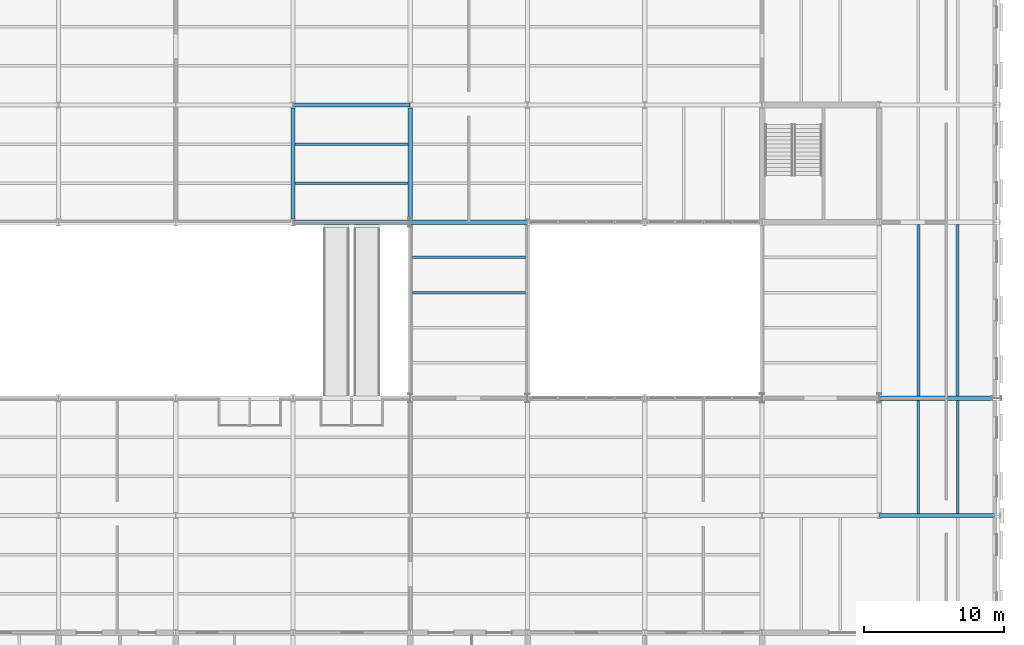
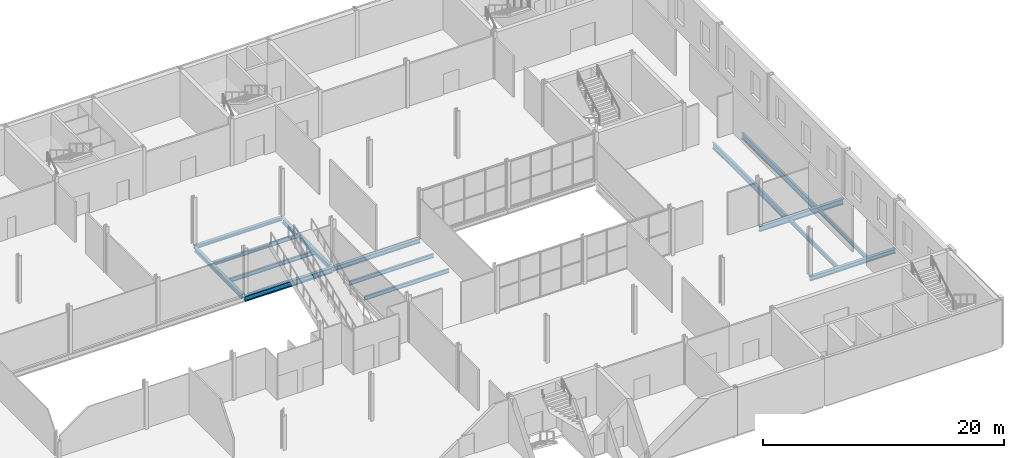
# One storey, part 21 of 57: 15 beams.
"""IFC4 building model written with IfcOpenShell, lengths in metres."""

from ifc_helpers import new_model, si_unit, direction, frame, origin, origin_2d, place, context, subcontext, project, spatial, i_section, extrude, material, material_profile, profile_set, type_object, element, save


model = new_model("IFC4")

# Units and contexts
model_context = context("Model", 3, precision=1e-05, world=origin(), true_north=direction((0.0, 1.0)))
body_context = subcontext(model_context, "Body", "Model", "MODEL_VIEW")
ifc_project = project(units=[si_unit("LENGTHUNIT", "METRE"), si_unit("AREAUNIT", "SQUARE_METRE"), si_unit("VOLUMEUNIT", "CUBIC_METRE"), si_unit("PLANEANGLEUNIT", "RADIAN"), si_unit("MASSUNIT", "GRAM", prefix="KILO")], contexts=[model_context])

# Site, building, storey
site_placement = place(None, origin())
site = spatial("IfcSite", under=ifc_project, at=site_placement, CompositionType="ELEMENT")
building_placement = place(site_placement, origin())
building = spatial("IfcBuilding", under=site, at=building_placement, Name="Galleria Vessillo Department Store", CompositionType="ELEMENT")
storey_placement = place(building_placement, frame((0.0, 0.0, 21.0)))
storey = spatial("IfcBuildingStorey", under=building, at=storey_placement, Name="L04", CompositionType="ELEMENT", Elevation=21.0)

# Beams
ifc_material_1 = material(Name="Steel S355 J2", Category="steel")
ifc_material_profile_1 = material_profile(ifc_material_1, i_section(OverallWidth=0.300048828125, OverallDepth=0.43994140625, WebThickness=0.011474609375, FlangeThickness=0.02099609375, FilletRadius=0.027099609375, at=origin_2d()), Name="HEA 450")
ifc_profile_set_1 = profile_set([ifc_material_profile_1], Name="Steel S355 J2")
beam_type_1 = type_object("IfcBeamType", Name="Bridge girder HEA 450", PredefinedType="BEAM", material=ifc_profile_set_1)
beam_1_placement = place(storey_placement, frame((75.610595703125, 37.800048828125, -0.369873046875), z_axis=(1.0, 0.0, 0.0), x_axis=(0.0, 1.0, 0.0)))
element("IfcBeam", 1, at=beam_1_placement, inside=storey, type_object=beam_type_1, Name="S-BM-L04-BR-x37800-75611", PredefinedType="BEAM", context=body_context, shape_type="SweptSolid", body=[
    extrude(i_section(OverallWidth=0.300048828125, OverallDepth=0.43994140625, WebThickness=0.011474609375, FlangeThickness=0.02099609375, FilletRadius=0.027099609375, at=origin_2d()), origin(), (0.0, 0.0, 1.0), 8.378662109375),
])
ifc_material_2 = material(Name="Steel S355 J2", Category="steel")
ifc_material_profile_2 = material_profile(ifc_material_2, i_section(OverallWidth=0.300048828125, OverallDepth=0.43994140625, WebThickness=0.011474609375, FlangeThickness=0.02099609375, FilletRadius=0.027099609375, at=origin_2d()), Name="HEA 450")
ifc_profile_set_2 = profile_set([ifc_material_profile_2], Name="Steel S355 J2")
beam_type_2 = type_object("IfcBeamType", Name="Floor girder HEA 450", PredefinedType="BEAM", material=ifc_profile_set_2)
beam_2_placement = place(storey_placement, frame((109.206787109375, 16.800048828125, -0.369873046875), z_axis=(1.0, 0.0, 0.0), x_axis=(0.0, 1.0, 0.0)))
element("IfcBeam", 2, at=beam_2_placement, inside=storey, type_object=beam_type_2, Name="S-BM-L04-GI-x16800-109207", PredefinedType="BEAM", context=body_context, shape_type="SweptSolid", body=[
    extrude(i_section(OverallWidth=0.300048828125, OverallDepth=0.43994140625, WebThickness=0.011474609375, FlangeThickness=0.02099609375, FilletRadius=0.027099609375, at=origin_2d()), origin(), (0.0, 0.0, 1.0), 8.193115234375),
])
beam_3_placement = place(storey_placement, frame((67.199951171875, 38.06201171875, -0.369873046875), z_axis=(0.0, 1.0, 0.0), x_axis=(-1.0, 0.0, 0.0)))
element("IfcBeam", 3, at=beam_3_placement, inside=storey, type_object=beam_type_2, Name="S-BM-L04-GI-y67200-38062", PredefinedType="BEAM", context=body_context, shape_type="SweptSolid", body=[
    extrude(i_section(OverallWidth=0.300048828125, OverallDepth=0.43994140625, WebThickness=0.011474609375, FlangeThickness=0.02099609375, FilletRadius=0.027099609375, at=origin_2d()), origin(), (0.0, 0.0, 1.0), 7.937744140625),
])
beam_4_placement = place(storey_placement, frame((75.60009765625, 38.110107421875, -0.369873046875), z_axis=(0.0, 1.0, 0.0), x_axis=(-1.0, 0.0, 0.0)))
element("IfcBeam", 4, at=beam_4_placement, inside=storey, type_object=beam_type_2, Name="S-BM-L04-GI-y75600-38110", PredefinedType="BEAM", context=body_context, shape_type="SweptSolid", body=[
    extrude(i_section(OverallWidth=0.300048828125, OverallDepth=0.43994140625, WebThickness=0.011474609375, FlangeThickness=0.02099609375, FilletRadius=0.027099609375, at=origin_2d()), origin(), (0.0, 0.0, 1.0), 7.8896484375),
])
ifc_material_3 = material(Name="Steel S355 J2", Category="steel")
ifc_material_profile_3 = material_profile(ifc_material_3, i_section(OverallWidth=0.300048828125, OverallDepth=0.5400390625, WebThickness=0.012451171875, FlangeThickness=0.02392578125, FilletRadius=0.027099609375, at=origin_2d()), Name="HEA 550")
ifc_profile_set_3 = profile_set([ifc_material_profile_3], Name="Steel S355 J2")
beam_type_3 = type_object("IfcBeamType", Name="Floor girder HEA 550", PredefinedType="BEAM", material=ifc_profile_set_3)
beam_5_placement = place(storey_placement, frame((109.210693359375, 25.199951171875, -0.419921875), z_axis=(1.0, 0.0, 0.0), x_axis=(0.0, 1.0, 0.0)))
element("IfcBeam", 5, at=beam_5_placement, inside=storey, type_object=beam_type_3, Name="S-BM-L04-GI-x25200-109211", PredefinedType="BEAM", context=body_context, shape_type="SweptSolid", body=[
    extrude(i_section(OverallWidth=0.300048828125, OverallDepth=0.5400390625, WebThickness=0.012451171875, FlangeThickness=0.02392578125, FilletRadius=0.027099609375, at=origin_2d()), origin(), (0.0, 0.0, 1.0), 8.05517578125),
])
ifc_material_4 = material(Name="Steel S355 J2", Category="steel")
ifc_material_profile_4 = material_profile(ifc_material_4, i_section(OverallWidth=0.179931640625, OverallDepth=0.39990234375, WebThickness=0.008544921875, FlangeThickness=0.013427734375, FilletRadius=0.02099609375, at=origin_2d()), Name="IPE 400")
ifc_profile_set_4 = profile_set([ifc_material_profile_4], Name="Steel S355 J2")
beam_type_4 = type_object("IfcBeamType", Name="Floor joist IPE 400", PredefinedType="JOIST", material=ifc_profile_set_4)
for number, where, z_axis, x_axis, name in (
    (6, (67.35009765625, 40.60009765625, -0.349853515625), (1.0, 0.0, 0.0), (0.0, 1.0, 0.0), "S-BM-L04-JO-x40600-67350"),
    (7, (67.35009765625, 43.39990234375, -0.349853515625), (1.0, 0.0, 0.0), (0.0, 1.0, 0.0), "S-BM-L04-JO-x43400-67350"),
):
    element("IfcBeam", number, at=place(storey_placement, frame(where, z_axis=z_axis, x_axis=x_axis)), inside=storey, type_object=beam_type_4, Name=name, PredefinedType="JOIST", context=body_context, shape_type="SweptSolid", body=[
        extrude(i_section(OverallWidth=0.179931640625, OverallDepth=0.39990234375, WebThickness=0.008544921875, FlangeThickness=0.013427734375, FilletRadius=0.02099609375, at=origin_2d()), origin(), (0.0, 0.0, 1.0), 8.099853515625),
    ])
for number, where, z_axis, x_axis, name in (
    (8, (75.750244140625, 32.760009765625, -0.349853515625), (1.0, 0.0, 0.0), (0.0, 1.0, 0.0), "S-BM-L04-JO-x32760-75750"),
    (9, (75.750244140625, 35.280029296875, -0.349853515625), (1.0, 0.0, 0.0), (0.0, 1.0, 0.0), "S-BM-L04-JO-x35280-75750"),
    (10, (112.0, 16.9501953125, -0.349853515625), (0.0, 1.0, 0.0), (-1.0, 0.0, 0.0), "S-BM-L04-JO-y112000-16950"),
    (11, (114.800048828125, 16.9501953125, -0.349853515625), (0.0, 1.0, 0.0), (-1.0, 0.0, 0.0), "S-BM-L04-JO-y114800-16950"),
):
    element("IfcBeam", number, at=place(storey_placement, frame(where, z_axis=z_axis, x_axis=x_axis)), inside=storey, type_object=beam_type_4, Name=name, PredefinedType="JOIST", context=body_context, shape_type="SweptSolid", body=[
        extrude(i_section(OverallWidth=0.179931640625, OverallDepth=0.39990234375, WebThickness=0.008544921875, FlangeThickness=0.013427734375, FilletRadius=0.02099609375, at=origin_2d()), origin(), (0.0, 0.0, 1.0), 8.099609375),
    ])
ifc_material_5 = material(Name="Steel S355 J2", Category="steel")
ifc_material_profile_5 = material_profile(ifc_material_5, i_section(OverallWidth=0.219970703125, OverallDepth=0.60009765625, WebThickness=0.011962890625, FlangeThickness=0.01904296875, FilletRadius=0.02392578125, at=origin_2d()), Name="IPE 600")
ifc_profile_set_5 = profile_set([ifc_material_profile_5], Name="Steel S355 J2")
beam_type_5 = type_object("IfcBeamType", Name="Floor joist IPE 600", PredefinedType="JOIST", material=ifc_profile_set_5)
for number, where, z_axis, x_axis, name in (
    (12, (112.0, 25.35009765625, -0.449951171875), (0.0, 1.0, 0.0), (-1.0, 0.0, 0.0), "S-BM-L04-JO-y112000-25350"),
    (13, (114.800048828125, 25.35009765625, -0.449951171875), (0.0, 1.0, 0.0), (-1.0, 0.0, 0.0), "S-BM-L04-JO-y114800-25350"),
):
    element("IfcBeam", number, at=place(storey_placement, frame(where, z_axis=z_axis, x_axis=x_axis)), inside=storey, type_object=beam_type_5, Name=name, PredefinedType="JOIST", context=body_context, shape_type="SweptSolid", body=[
        extrude(i_section(OverallWidth=0.219970703125, OverallDepth=0.60009765625, WebThickness=0.011962890625, FlangeThickness=0.01904296875, FilletRadius=0.02392578125, at=origin_2d()), origin(), (0.0, 0.0, 1.0), 12.2998046875),
    ])
ifc_material_6 = material(Name="Steel S355 J2", Category="steel")
ifc_material_profile_6 = material_profile(ifc_material_6, i_section(OverallWidth=0.300048828125, OverallDepth=0.330078125, WebThickness=0.009521484375, FlangeThickness=0.0166015625, FilletRadius=0.027099609375, at=origin_2d()), Name="HEA 340")
ifc_profile_set_6 = profile_set([ifc_material_profile_6], Name="Steel S355 J2")
beam_type_6 = type_object("IfcBeamType", Name="Floor tie girder HEA 340", PredefinedType="BEAM", material=ifc_profile_set_6)
beam_6_placement = place(storey_placement, frame((67.206787109375, 46.199951171875, -0.31494140625), z_axis=(1.0, 0.0, 0.0), x_axis=(0.0, 1.0, 0.0)))
element("IfcBeam", 14, at=beam_6_placement, inside=storey, type_object=beam_type_6, Name="S-BM-L04-TI-x46200-67207", PredefinedType="BEAM", context=body_context, shape_type="SweptSolid", body=[
    extrude(i_section(OverallWidth=0.300048828125, OverallDepth=0.330078125, WebThickness=0.009521484375, FlangeThickness=0.0166015625, FilletRadius=0.027099609375, at=origin_2d()), origin(), (0.0, 0.0, 1.0), 8.38623046875),
])
ifc_material_7 = material(Name="Steel S355 J2", Category="steel")
ifc_material_profile_7 = material_profile(ifc_material_7, i_section(OverallWidth=0.300048828125, OverallDepth=0.5400390625, WebThickness=0.012451171875, FlangeThickness=0.02392578125, FilletRadius=0.027099609375, at=origin_2d()), Name="HEA 550")
ifc_profile_set_7 = profile_set([ifc_material_profile_7], Name="Steel S355 J2")
beam_type_7 = type_object("IfcBeamType", Name="Trimmer beam HEA 550", PredefinedType="BEAM", material=ifc_profile_set_7)
beam_7_placement = place(storey_placement, frame((67.210693359375, 37.800048828125, -0.419921875), z_axis=(1.0, 0.0, 0.0), x_axis=(0.0, 1.0, 0.0)))
element("IfcBeam", 15, at=beam_7_placement, inside=storey, type_object=beam_type_7, Name="S-BM-L04-TR-x37800-67211", PredefinedType="BEAM", context=body_context, shape_type="SweptSolid", body=[
    extrude(i_section(OverallWidth=0.300048828125, OverallDepth=0.5400390625, WebThickness=0.012451171875, FlangeThickness=0.02392578125, FilletRadius=0.027099609375, at=origin_2d()), origin(), (0.0, 0.0, 1.0), 8.378662109375),
])

save(model, "model.ifc")
